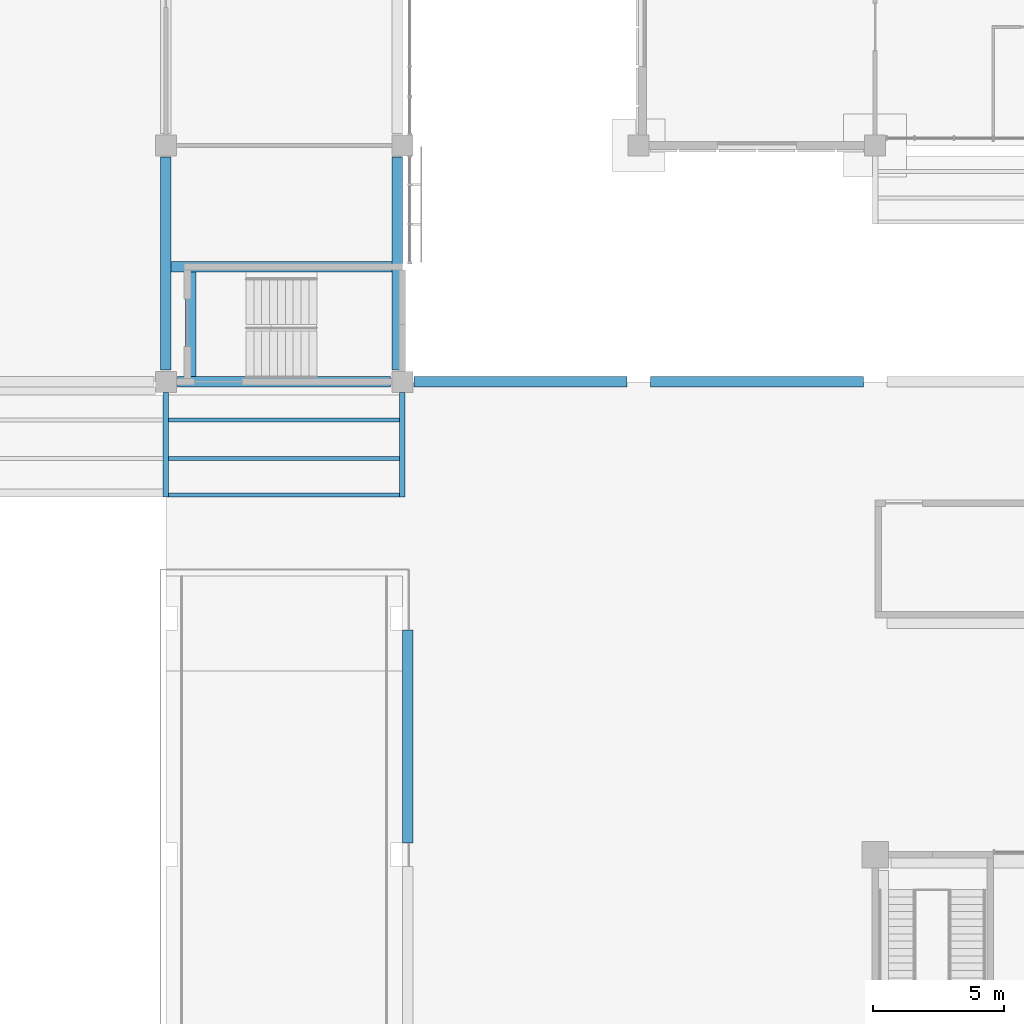
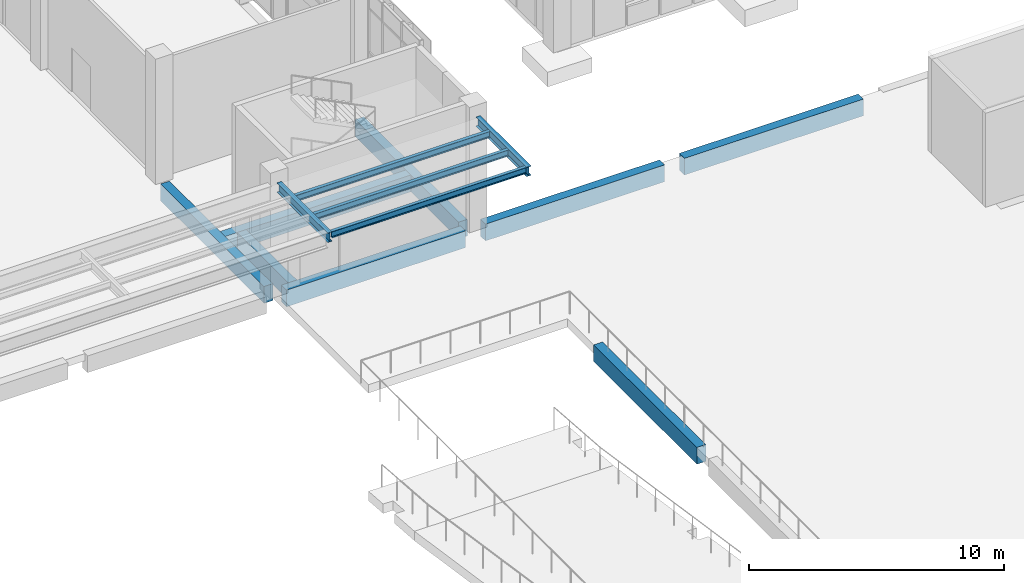
# One storey, part 16 of 86: 13 beams.
"""IFC4 building model written with IfcOpenShell, lengths in metres."""

from ifc_helpers import new_model, si_unit, direction, frame, origin, origin_2d, place, context, subcontext, project, spatial, rectangle, i_section, extrude, material, material_profile, profile_set, type_object, element, save


model = new_model("IFC4")

# Units and contexts
model_context = context("Model", 3, precision=1e-05, world=origin(), true_north=direction((0.0, 1.0)))
body_context = subcontext(model_context, "Body", "Model", "MODEL_VIEW")
ifc_project = project(units=[si_unit("LENGTHUNIT", "METRE"), si_unit("AREAUNIT", "SQUARE_METRE"), si_unit("VOLUMEUNIT", "CUBIC_METRE"), si_unit("PLANEANGLEUNIT", "RADIAN"), si_unit("MASSUNIT", "GRAM", prefix="KILO")], contexts=[model_context])

# Site, building, storey
site_placement = place(None, origin())
site = spatial("IfcSite", under=ifc_project, at=site_placement, CompositionType="ELEMENT")
building_placement = place(site_placement, origin())
building = spatial("IfcBuilding", under=site, at=building_placement, Name="Guidao Yard Department Store", CompositionType="ELEMENT")
storey_placement = place(building_placement, origin())
storey = spatial("IfcBuildingStorey", under=building, at=storey_placement, Name="L00", CompositionType="ELEMENT", Elevation=0.0)

# Beams
ifc_material_1 = material(Name="Steel Q355B", Category="steel")
ifc_material_profile_1 = material_profile(ifc_material_1, i_section(OverallWidth=0.14990234375, OverallDepth=0.300048828125, WebThickness=0.006591796875, FlangeThickness=0.009033203125, FilletRadius=0.012939453125, at=origin_2d()), Name="HN 300x150x6.5x9")
ifc_profile_set_1 = profile_set([ifc_material_profile_1], Name="Steel Q355B")
beam_type_1 = type_object("IfcBeamType", Name="Canopy beam HN 300x150x6.5x9", PredefinedType="BEAM", material=ifc_profile_set_1)
beam_1_placement = place(storey_placement, frame((99.10009765625, 40.695068359375, 5.300048828125), z_axis=(1.0, 0.0, 0.0), x_axis=(0.0, 1.0, 0.0)))
element("IfcBeam", 1, at=beam_1_placement, inside=storey, type_object=beam_type_1, Name="Canopy edge beam EC-11", PredefinedType="BEAM", context=body_context, shape_type="SweptSolid", body=[
    extrude(i_section(OverallWidth=0.14990234375, OverallDepth=0.300048828125, WebThickness=0.006591796875, FlangeThickness=0.009033203125, FilletRadius=0.012939453125, at=origin_2d()), origin(), (0.0, 0.0, 1.0), 8.7998046875),
])
for number, where, z_axis, x_axis, name in (
    (2, (99.10009765625, 43.5400390625, 5.300048828125), (1.0, 0.0, 0.0), (0.0, 1.0, 0.0), "Canopy joist EC-11.1"),
    (3, (99.10009765625, 42.080078125, 5.300048828125), (1.0, 0.0, 0.0), (0.0, 1.0, 0.0), "Canopy joist EC-11.2"),
):
    element("IfcBeam", number, at=place(storey_placement, frame(where, z_axis=z_axis, x_axis=x_axis)), inside=storey, type_object=beam_type_1, Name=name, PredefinedType="JOIST", context=body_context, shape_type="SweptSolid", body=[
        extrude(i_section(OverallWidth=0.14990234375, OverallDepth=0.300048828125, WebThickness=0.006591796875, FlangeThickness=0.009033203125, FilletRadius=0.012939453125, at=origin_2d()), origin(), (0.0, 0.0, 1.0), 8.7998046875),
    ])
ifc_material_2 = material(Name="Concrete C40", Category="concrete")
ifc_material_profile_2 = material_profile(ifc_material_2, rectangle(XDim=0.39990234375, YDim=0.800048828125, at=origin_2d()), Name="Edge beam 400 x 800 C40")
ifc_profile_set_2 = profile_set([ifc_material_profile_2], Name="Concrete C40")
beam_type_2 = type_object("IfcBeamType", Name="Edge beam 400 x 800 C40", PredefinedType="BEAM", material=ifc_profile_set_2)
beam_2_placement = place(storey_placement, frame((99.0, 45.449951171875, -0.39990234375), z_axis=(0.0, 1.0, 0.0), x_axis=(-1.0, 0.0, 0.0)))
element("IfcBeam", 4, at=beam_2_placement, inside=storey, type_object=beam_type_2, Name="Beam EB62", PredefinedType="BEAM", context=body_context, shape_type="SweptSolid", body=[
    extrude(rectangle(XDim=0.39990234375, YDim=0.800048828125, at=origin_2d()), origin(), (0.0, 0.0, 1.0), 8.10009765625),
])
beam_3_placement = place(storey_placement, frame((99.199951171875, 49.375, -0.39990234375), z_axis=(1.0, 0.0, 0.0), x_axis=(0.0, 1.0, 0.0)))
element("IfcBeam", 5, at=beam_3_placement, inside=storey, type_object=beam_type_2, Name="Beam EB104", PredefinedType="BEAM", context=body_context, shape_type="SweptSolid", body=[
    extrude(rectangle(XDim=0.39990234375, YDim=0.800048828125, at=origin_2d()), origin(), (0.0, 0.0, 1.0), 8.400146484375),
])
beam_4_placement = place(storey_placement, frame((99.949951171875, 45.199951171875, -0.39990234375), z_axis=(0.0, 1.0, 0.0), x_axis=(-1.0, 0.0, 0.0)))
element("IfcBeam", 6, at=beam_4_placement, inside=storey, type_object=beam_type_2, Name="Beam EB105", PredefinedType="BEAM", context=body_context, shape_type="SweptSolid", body=[
    extrude(rectangle(XDim=0.39990234375, YDim=0.800048828125, at=origin_2d()), origin(), (0.0, 0.0, 1.0), 3.97509765625),
])
ifc_material_3 = material(Name="Steel Q355B", Category="steel")
ifc_material_profile_3 = material_profile(ifc_material_3, i_section(OverallWidth=0.199951171875, OverallDepth=0.449951171875, WebThickness=0.009033203125, FlangeThickness=0.013916015625, FilletRadius=0.012939453125, at=origin_2d()), Name="HN 450x200x9x14")
ifc_profile_set_3 = profile_set([ifc_material_profile_3], Name="Steel Q355B")
beam_type_3 = type_object("IfcBeamType", Name="HN 450x200x9x14", PredefinedType="BEAM", material=ifc_profile_set_3)
for number, where, z_axis, x_axis, name in (
    (7, (99.0, 40.6201171875, 5.22509765625), (0.0, 1.0, 0.0), (-1.0, 0.0, 0.0), "Canopy beam EC-11"),
    (8, (108.0, 40.6201171875, 5.22509765625), (0.0, 1.0, 0.0), (-1.0, 0.0, 0.0), "Canopy beam EC-12"),
):
    element("IfcBeam", number, at=place(storey_placement, frame(where, z_axis=z_axis, x_axis=x_axis)), inside=storey, type_object=beam_type_3, Name=name, PredefinedType="BEAM", context=body_context, shape_type="SweptSolid", body=[
        extrude(i_section(OverallWidth=0.199951171875, OverallDepth=0.449951171875, WebThickness=0.009033203125, FlangeThickness=0.013916015625, FilletRadius=0.012939453125, at=origin_2d()), origin(), (0.0, 0.0, 1.0), 3.97998046875),
    ])
ifc_material_4 = material(Name="Concrete C40", Category="concrete")
ifc_material_profile_4 = material_profile(ifc_material_4, rectangle(XDim=0.39990234375, YDim=0.800048828125, at=origin_2d()), Name="Spandrel beam 400 x 800 C40")
ifc_profile_set_4 = profile_set([ifc_material_profile_4], Name="Concrete C40")
beam_type_4 = type_object("IfcBeamType", Name="Spandrel beam 400 x 800 C40", PredefinedType="SPANDREL", material=ifc_profile_set_4)
for number, where, z_axis, x_axis, name in (
    (9, (107.800048828125, 45.449951171875, -0.39990234375), (0.0, 1.0, 0.0), (-1.0, 0.0, 0.0), "Beam EB46"),
    (10, (99.449951171875, 45.0, -0.39990234375), (1.0, 0.0, 0.0), (0.0, 1.0, 0.0), "Beam EB54"),
    (11, (108.199951171875, 27.449951171875, -0.39990234375), (0.0, 1.0, 0.0), (-1.0, 0.0, 0.0), "Beam EB80"),
    (12, (108.449951171875, 45.0, -0.39990234375), (1.0, 0.0, 0.0), (0.0, 1.0, 0.0), "Beam EB81"),
    (13, (117.449951171875, 45.0, -0.39990234375), (1.0, 0.0, 0.0), (0.0, 1.0, 0.0), "Beam EB82"),
):
    element("IfcBeam", number, at=place(storey_placement, frame(where, z_axis=z_axis, x_axis=x_axis)), inside=storey, type_object=beam_type_4, Name=name, PredefinedType="SPANDREL", context=body_context, shape_type="SweptSolid", body=[
        extrude(rectangle(XDim=0.39990234375, YDim=0.800048828125, at=origin_2d()), origin(), (0.0, 0.0, 1.0), 8.10009765625),
    ])

save(model, "model.ifc")
